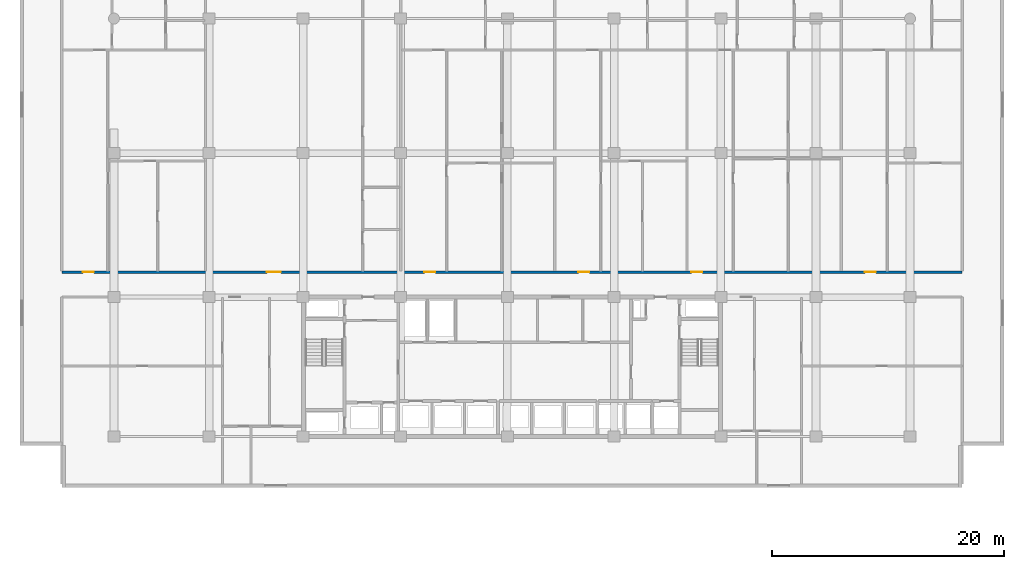
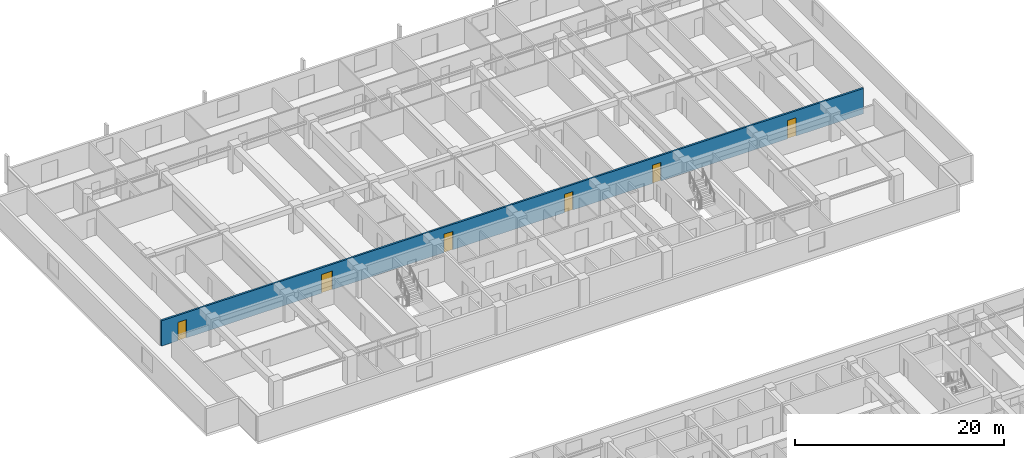
# One storey, part 13 of 23: 6 doors, 1 wall, 6 openings.
"""IFC4 building model written with IfcOpenShell, lengths in metres."""

from ifc_helpers import new_model, si_unit, direction, frame, frame_2d, origin, place, context, subcontext, project, spatial, rectangle, extrude, material, layer, layer_set, type_object, element, fill, save


model = new_model("IFC4")

# Units and contexts
model_context = context("Model", 3, precision=1e-05, world=origin(), true_north=direction((0.0, 1.0)))
body_context = subcontext(model_context, "Body", "Model", "MODEL_VIEW")
ifc_project = project(units=[si_unit("LENGTHUNIT", "METRE"), si_unit("AREAUNIT", "SQUARE_METRE"), si_unit("VOLUMEUNIT", "CUBIC_METRE"), si_unit("PLANEANGLEUNIT", "RADIAN"), si_unit("MASSUNIT", "GRAM", prefix="KILO")], contexts=[model_context])

# Site, building, storey
site_placement = place(None, origin())
site = spatial("IfcSite", under=ifc_project, at=site_placement, CompositionType="ELEMENT")
building_placement = place(site_placement, origin())
building = spatial("IfcBuilding", under=site, at=building_placement, Name="Korimba Cascade Residences", CompositionType="ELEMENT")
storey_placement = place(building_placement, frame((0.0, 0.0, 37.0)))
storey = spatial("IfcBuildingStorey", under=building, at=storey_placement, Name="L09", CompositionType="ELEMENT", Elevation=37.0)

# Wall, openings, doors
ifc_material_1 = material(Name="Precast concrete C40/50", Category="concrete")
ifc_layer = layer(ifc_material_1, 0.199951171875)
ifc_layer_set = layer_set([ifc_layer], Name="Precast concrete C40/50")
wall_type = type_object("IfcWallType", Name="WAL-IT-200", PredefinedType="PARTITIONING", material=ifc_layer_set)
wall_placement = place(storey_placement, frame((55.300048828125, 69.35009765625, 0.0), z_axis=(0.0, 0.0, 1.0), x_axis=(1.0, 0.0, 0.0)))
wall = element("IfcWall", 1, at=wall_placement, inside=storey, type_object=wall_type, Name="L09 Partition Wall WAL-L09-T1-CORN", PredefinedType="PARTITIONING", context=body_context, shape_type="SweptSolid", body=[
    extrude(rectangle(XDim=77.599853515625, YDim=0.199951171875, at=frame_2d((38.7998046875, 0.0))), origin(), (0.0, 0.0, 1.0), 2.969970703125),
])
opening_1_placement = place(wall_placement, frame((1.81005859375, 0.0, 0.0)))
opening_1 = element("IfcOpeningElement", 2, at=opening_1_placement, cuts=wall, Name="Opening D-UN1", PredefinedType="OPENING", context=body_context, shape_type="SweptSolid", body=[
    extrude(rectangle(XDim=0.949951171875, YDim=2.14990234375, at=frame_2d((0.47509765625, 1.074951171875))), frame((0.0, 0.10986328125, 0.0), z_axis=(0.0, -1.0, 0.0), x_axis=(1.0, 0.0, 0.0)), (0.0, 0.0, 1.0), 0.219970703125),
])
opening_2_placement = place(wall_placement, frame((17.668212890625, 0.0, 0.0)))
opening_2 = element("IfcOpeningElement", 3, at=opening_2_placement, cuts=wall, Name="Opening D-AM1", PredefinedType="OPENING", context=body_context, shape_type="SweptSolid", body=[
    extrude(rectangle(XDim=1.219970703125, YDim=2.179931640625, at=frame_2d((0.60986328125, 1.08984375))), frame((0.0, 0.10986328125, 0.0), z_axis=(0.0, -1.0, 0.0), x_axis=(1.0, 0.0, 0.0)), (0.0, 0.0, 1.0), 0.219970703125),
])
opening_3_placement = place(wall_placement, frame((31.244384765625, 0.0, 0.0)))
opening_3 = element("IfcOpeningElement", 4, at=opening_3_placement, cuts=wall, Name="Opening D-UN1", PredefinedType="OPENING", context=body_context, shape_type="SweptSolid", body=[
    extrude(rectangle(XDim=0.949951171875, YDim=2.14990234375, at=frame_2d((0.47509765625, 1.074951171875))), frame((0.0, 0.10986328125, 0.0), z_axis=(0.0, -1.0, 0.0), x_axis=(1.0, 0.0, 0.0)), (0.0, 0.0, 1.0), 0.219970703125),
])
opening_4_placement = place(wall_placement, frame((44.527099609375, 0.0, 0.0)))
opening_4 = element("IfcOpeningElement", 5, at=opening_4_placement, cuts=wall, Name="Opening D-UN1", PredefinedType="OPENING", context=body_context, shape_type="SweptSolid", body=[
    extrude(rectangle(XDim=0.949951171875, YDim=2.14990234375, at=frame_2d((0.47509765625, 1.074951171875))), frame((0.0, 0.10986328125, 0.0), z_axis=(0.0, -1.0, 0.0), x_axis=(1.0, 0.0, 0.0)), (0.0, 0.0, 1.0), 0.219970703125),
])
opening_5_placement = place(wall_placement, frame((54.257080078125, 0.0, 0.0)))
opening_5 = element("IfcOpeningElement", 6, at=opening_5_placement, cuts=wall, Name="Opening D-UN1", PredefinedType="OPENING", context=body_context, shape_type="SweptSolid", body=[
    extrude(rectangle(XDim=0.949951171875, YDim=2.14990234375, at=frame_2d((0.47509765625, 1.074951171875))), frame((0.0, 0.10986328125, 0.0), z_axis=(0.0, -1.0, 0.0), x_axis=(1.0, 0.0, 0.0)), (0.0, 0.0, 1.0), 0.219970703125),
])
opening_6_placement = place(wall_placement, frame((69.21484375, 0.0, 0.0)))
opening_6 = element("IfcOpeningElement", 7, at=opening_6_placement, cuts=wall, Name="Opening D-UN1", PredefinedType="OPENING", context=body_context, shape_type="SweptSolid", body=[
    extrude(rectangle(XDim=0.949951171875, YDim=2.14990234375, at=frame_2d((0.47509765625, 1.074951171875))), frame((0.0, 0.10986328125, 0.0), z_axis=(0.0, -1.0, 0.0), x_axis=(1.0, 0.0, 0.0)), (0.0, 0.0, 1.0), 0.219970703125),
])
ifc_material_2 = material(Name="Fire-Rated Glazed Timber Suite Door", Category="wood")
door_type_1 = type_object("IfcDoorType", Name="DR-FD60-1200", OperationType="NOTDEFINED", PredefinedType="DOOR", material=ifc_material_2)
door_1_placement = place(opening_2_placement, origin())
door_1 = element("IfcDoor", 8, at=door_1_placement, inside=storey, type_object=door_type_1, Name="L09-T1-U02 Business Collaboration Office Door", OperationType="SINGLE_SWING_LEFT", OverallHeight=2.179931640625, OverallWidth=1.219970703125, PredefinedType="DOOR", context=body_context, shape_type="SweptSolid", body=[
    extrude(rectangle(XDim=1.219970703125, YDim=2.179931640625, at=frame_2d((0.60986328125, 1.08984375))), frame((0.0, 0.02490234375, 0.0), z_axis=(0.0, -1.0, 0.0), x_axis=(1.0, 0.0, 0.0)), (0.0, 0.0, 1.0), 0.050048828125),
])
fill(opening_2, door_1)
ifc_material_3 = material(Name="Fire-Rated Hardwood Apartment Entrance Door", Category="wood")
door_type_2 = type_object("IfcDoorType", Name="DR-FD60-950", OperationType="NOTDEFINED", PredefinedType="DOOR", material=ifc_material_3)
door_2_placement = place(opening_1_placement, origin())
door_2 = element("IfcDoor", 9, at=door_2_placement, inside=storey, type_object=door_type_2, Name="Unit L09-T1-U01 Entrance Door", OperationType="SINGLE_SWING_RIGHT", OverallHeight=2.14990234375, OverallWidth=0.949951171875, PredefinedType="DOOR", context=body_context, shape_type="SweptSolid", body=[
    extrude(rectangle(XDim=0.949951171875, YDim=2.14990234375, at=frame_2d((0.47509765625, 1.074951171875))), frame((0.0, 0.02490234375, 0.0), z_axis=(0.0, -1.0, 0.0), x_axis=(1.0, 0.0, 0.0)), (0.0, 0.0, 1.0), 0.050048828125),
])
fill(opening_1, door_2)
door_3_placement = place(opening_3_placement, origin())
door_3 = element("IfcDoor", 10, at=door_3_placement, inside=storey, type_object=door_type_2, Name="Unit L09-T1-U03 Entrance Door", OperationType="SINGLE_SWING_RIGHT", OverallHeight=2.14990234375, OverallWidth=0.949951171875, PredefinedType="DOOR", context=body_context, shape_type="SweptSolid", body=[
    extrude(rectangle(XDim=0.949951171875, YDim=2.14990234375, at=frame_2d((0.47509765625, 1.074951171875))), frame((0.0, 0.02490234375, 0.0), z_axis=(0.0, -1.0, 0.0), x_axis=(1.0, 0.0, 0.0)), (0.0, 0.0, 1.0), 0.050048828125),
])
fill(opening_3, door_3)
door_4_placement = place(opening_4_placement, origin())
door_4 = element("IfcDoor", 11, at=door_4_placement, inside=storey, type_object=door_type_2, Name="Unit L09-T1-U04 Entrance Door", OperationType="SINGLE_SWING_LEFT", OverallHeight=2.14990234375, OverallWidth=0.949951171875, PredefinedType="DOOR", context=body_context, shape_type="SweptSolid", body=[
    extrude(rectangle(XDim=0.949951171875, YDim=2.14990234375, at=frame_2d((0.47509765625, 1.074951171875))), frame((0.0, 0.02490234375, 0.0), z_axis=(0.0, -1.0, 0.0), x_axis=(1.0, 0.0, 0.0)), (0.0, 0.0, 1.0), 0.050048828125),
])
fill(opening_4, door_4)
door_5_placement = place(opening_5_placement, origin())
door_5 = element("IfcDoor", 12, at=door_5_placement, inside=storey, type_object=door_type_2, Name="Unit L09-T1-U05 Entrance Door", OperationType="SINGLE_SWING_RIGHT", OverallHeight=2.14990234375, OverallWidth=0.949951171875, PredefinedType="DOOR", context=body_context, shape_type="SweptSolid", body=[
    extrude(rectangle(XDim=0.949951171875, YDim=2.14990234375, at=frame_2d((0.47509765625, 1.074951171875))), frame((0.0, 0.02490234375, 0.0), z_axis=(0.0, -1.0, 0.0), x_axis=(1.0, 0.0, 0.0)), (0.0, 0.0, 1.0), 0.050048828125),
])
fill(opening_5, door_5)
door_6_placement = place(opening_6_placement, origin())
door_6 = element("IfcDoor", 13, at=door_6_placement, inside=storey, type_object=door_type_2, Name="Unit L09-T1-U06 Entrance Door", OperationType="SINGLE_SWING_LEFT", OverallHeight=2.14990234375, OverallWidth=0.949951171875, PredefinedType="DOOR", context=body_context, shape_type="SweptSolid", body=[
    extrude(rectangle(XDim=0.949951171875, YDim=2.14990234375, at=frame_2d((0.47509765625, 1.074951171875))), frame((0.0, 0.02490234375, 0.0), z_axis=(0.0, -1.0, 0.0), x_axis=(1.0, 0.0, 0.0)), (0.0, 0.0, 1.0), 0.050048828125),
])
fill(opening_6, door_6)

save(model, "model.ifc")
